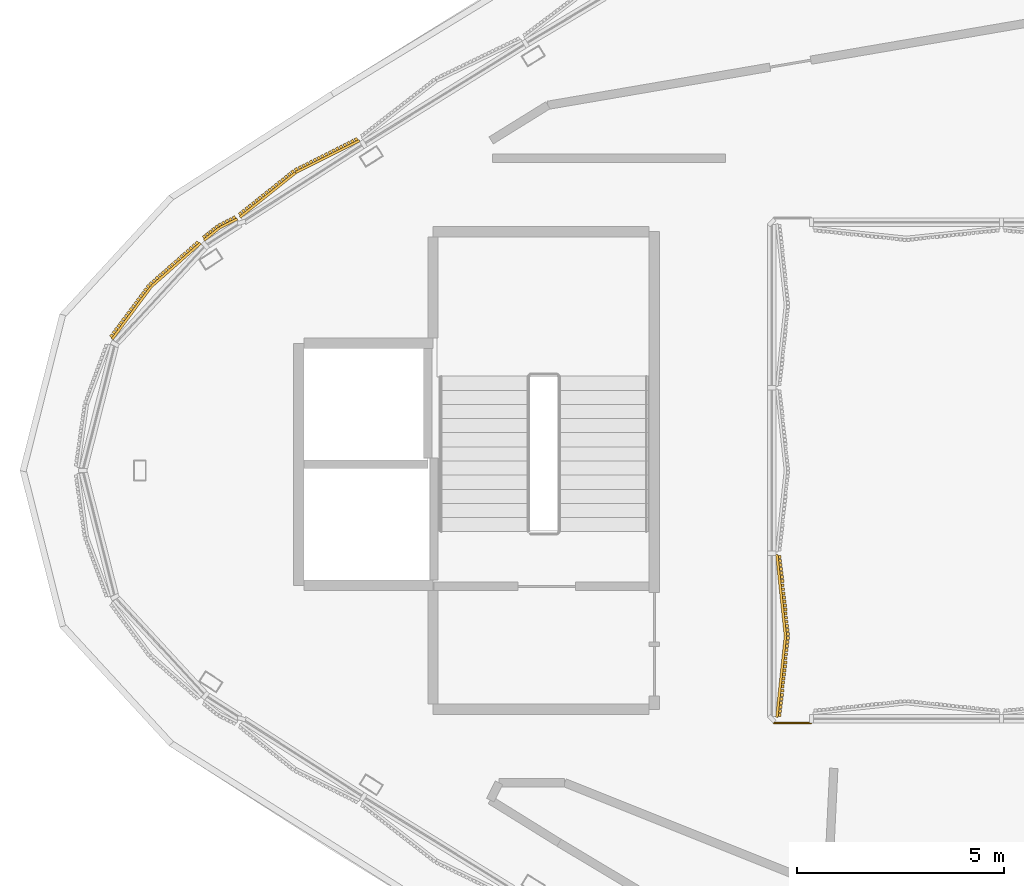
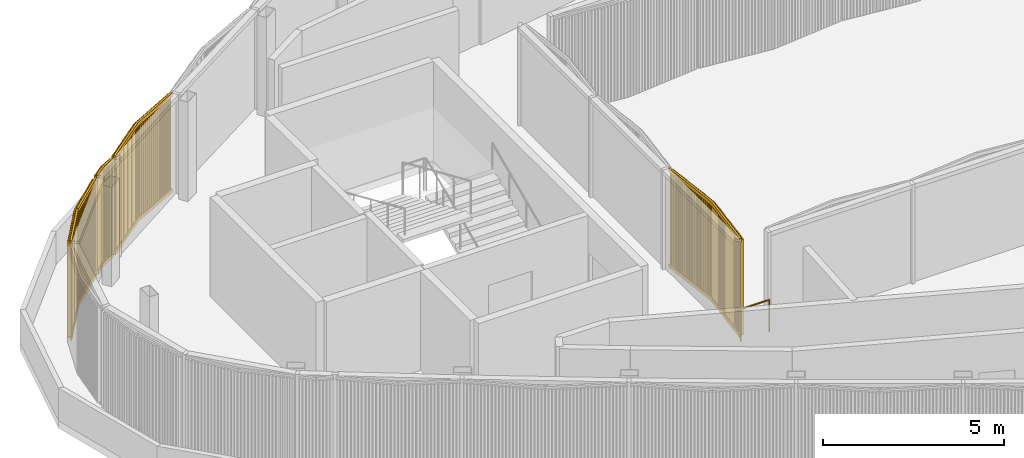
# One storey, part 11 of 16: 4 coverings, 1 railing.
"""IFC4 building model written with IfcOpenShell, lengths in metres."""

from ifc_helpers import new_model, si_unit, direction, frame, frame_2d, origin, origin_2d, place, context, subcontext, project, spatial, rectangle, circle, extrude, source, transform, mapped, material, type_object, element, save


model = new_model("IFC4")

# Units and contexts
model_context = context("Model", 3, precision=1e-05, world=origin(), true_north=direction((0.0, 1.0)))
body_context = subcontext(model_context, "Body", "Model", "MODEL_VIEW")
ifc_project = project(units=[si_unit("LENGTHUNIT", "METRE"), si_unit("AREAUNIT", "SQUARE_METRE"), si_unit("VOLUMEUNIT", "CUBIC_METRE"), si_unit("PLANEANGLEUNIT", "RADIAN"), si_unit("MASSUNIT", "GRAM", prefix="KILO")], contexts=[model_context])

# Site, building, storey
site_placement = place(None, origin())
site = spatial("IfcSite", under=ifc_project, at=site_placement, CompositionType="ELEMENT")
building_placement = place(site_placement, origin())
building = spatial("IfcBuilding", under=site, at=building_placement, Name="Tamra Quay Hotel Tower", CompositionType="ELEMENT")
storey_placement = place(building_placement, frame((0.0, 0.0, 320.60009765625)))
storey = spatial("IfcBuildingStorey", under=building, at=storey_placement, Name="Roof crown 1", CompositionType="ELEMENT", Elevation=320.60009765625)

# Railing
ifc_material_1 = material(Name="Stainless steel balustrade", Category="steel")
railing_type = type_object("IfcRailingType", Name="EXTERIOR GUARD 1100", PredefinedType="GUARDRAIL", material=ifc_material_1)
railing_placement = place(storey_placement, frame((-7.037353515625, -6.10009765625, 0.0)))
element("IfcRailing", 1, at=railing_placement, inside=storey, type_object=railing_type, Name="GR1", PredefinedType="GUARDRAIL", context=body_context, shape_type="SweptSolid", body=[
    extrude(circle(Radius=0.02392578125, at=origin_2d()), frame((0.0, 0.0, 1.076171875), z_axis=(-1.0, 0.0, 0.0), x_axis=(0.0, -1.0, 0.0)), (0.0, 0.0, 1.0), 0.91259765625),
    extrude(circle(Radius=0.02099609375, at=origin_2d()), origin(), (0.0, 0.0, 1.0), 1.052001953125),
    extrude(circle(Radius=0.02099609375, at=origin_2d()), frame((-0.91259765625, 0.0, 0.0)), (0.0, 0.0, 1.0), 1.052001953125),
])

# Coverings
ifc_material_2 = material(Name="Terracotta baguette extruded", Category="masonry")
covering_type = type_object("IfcCoveringType", Name="BAGUETTE SCREEN CROWN H3350", PredefinedType="USERDEFINED", material=ifc_material_2)
shared_shape_1 = source(origin(), body_context, "Body", "SweptSolid", [
    extrude(rectangle(XDim=1.5810546875, YDim=0.06005859375, at=frame_2d((0.79052734375, 0.030029296875))), frame((-1.578857421875, -0.0576171875, -0.1201171875), z_axis=(0.0, 0.0, 1.0), x_axis=(0.994521895368, -0.104528463268, 0.0)), (0.0, 0.0, 1.0), 0.1201171875),
    extrude(rectangle(XDim=1.5810546875, YDim=0.06005859375, at=frame_2d((0.79052734375, 0.030029296875))), frame((-1.578857421875, -0.0576171875, -3.35009765625), z_axis=(0.0, 0.0, 1.0), x_axis=(0.994521895368, -0.104528463268, 0.0)), (0.0, 0.0, 1.0), 0.1201171875),
    extrude(rectangle(XDim=0.070068359375, YDim=0.10009765625, at=frame_2d((0.03515625, 0.050048828125))), frame((-1.558349609375, -0.133056640625, -3.2900390625)), (0.0, 0.0, 1.0), 3.22998046875),
    extrude(rectangle(XDim=0.070068359375, YDim=0.10009765625, at=frame_2d((0.03515625, 0.050048828125))), frame((-1.4599609375, -0.1435546875, -3.2900390625)), (0.0, 0.0, 1.0), 3.22998046875),
    extrude(rectangle(XDim=0.070068359375, YDim=0.10009765625, at=frame_2d((0.03515625, 0.050048828125))), frame((-1.36181640625, -0.15380859375, -3.2900390625)), (0.0, 0.0, 1.0), 3.22998046875),
    extrude(rectangle(XDim=0.070068359375, YDim=0.10009765625, at=frame_2d((0.03515625, 0.050048828125))), frame((-1.263427734375, -0.1640625, -3.2900390625)), (0.0, 0.0, 1.0), 3.22998046875),
    extrude(rectangle(XDim=0.070068359375, YDim=0.10009765625, at=frame_2d((0.03515625, 0.050048828125))), frame((-1.165283203125, -0.174560546875, -3.2900390625)), (0.0, 0.0, 1.0), 3.22998046875),
    extrude(rectangle(XDim=0.070068359375, YDim=0.10009765625, at=frame_2d((0.03515625, 0.050048828125))), frame((-1.06689453125, -0.184814453125, -3.2900390625)), (0.0, 0.0, 1.0), 3.22998046875),
    extrude(rectangle(XDim=0.070068359375, YDim=0.10009765625, at=frame_2d((0.03515625, 0.050048828125))), frame((-0.96875, -0.195068359375, -3.2900390625)), (0.0, 0.0, 1.0), 3.22998046875),
    extrude(rectangle(XDim=0.070068359375, YDim=0.10009765625, at=frame_2d((0.03515625, 0.050048828125))), frame((-0.870361328125, -0.20556640625, -3.2900390625)), (0.0, 0.0, 1.0), 3.22998046875),
    extrude(rectangle(XDim=0.070068359375, YDim=0.10009765625, at=frame_2d((0.03515625, 0.050048828125))), frame((-0.772216796875, -0.2158203125, -3.2900390625)), (0.0, 0.0, 1.0), 3.22998046875),
    extrude(rectangle(XDim=0.070068359375, YDim=0.10009765625, at=frame_2d((0.03515625, 0.050048828125))), frame((-0.673828125, -0.22607421875, -3.2900390625)), (0.0, 0.0, 1.0), 3.22998046875),
    extrude(rectangle(XDim=0.070068359375, YDim=0.10009765625, at=frame_2d((0.03515625, 0.050048828125))), frame((-0.575439453125, -0.236572265625, -3.2900390625)), (0.0, 0.0, 1.0), 3.22998046875),
    extrude(rectangle(XDim=0.070068359375, YDim=0.10009765625, at=frame_2d((0.03515625, 0.050048828125))), frame((-0.477294921875, -0.246826171875, -3.2900390625)), (0.0, 0.0, 1.0), 3.22998046875),
    extrude(rectangle(XDim=0.070068359375, YDim=0.10009765625, at=frame_2d((0.03515625, 0.050048828125))), frame((-0.37890625, -0.257080078125, -3.2900390625)), (0.0, 0.0, 1.0), 3.22998046875),
    extrude(rectangle(XDim=0.070068359375, YDim=0.10009765625, at=frame_2d((0.03515625, 0.050048828125))), frame((-0.28076171875, -0.267333984375, -3.2900390625)), (0.0, 0.0, 1.0), 3.22998046875),
    extrude(rectangle(XDim=0.070068359375, YDim=0.10009765625, at=frame_2d((0.03515625, 0.050048828125))), frame((-0.182373046875, -0.27783203125, -3.2900390625)), (0.0, 0.0, 1.0), 3.22998046875),
    extrude(rectangle(XDim=0.070068359375, YDim=0.10009765625, at=frame_2d((0.03515625, 0.050048828125))), frame((-0.084228515625, -0.2880859375, -3.2900390625)), (0.0, 0.0, 1.0), 3.22998046875),
    extrude(rectangle(XDim=1.5810546875, YDim=0.06005859375, at=frame_2d((0.79052734375, 0.030029296875))), frame((0.00634765625, -0.222900390625, -0.1201171875), z_axis=(0.0, 0.0, 1.0), x_axis=(0.994521895368, 0.104528463268, 0.0)), (0.0, 0.0, 1.0), 0.1201171875),
    extrude(rectangle(XDim=1.5810546875, YDim=0.06005859375, at=frame_2d((0.79052734375, 0.030029296875))), frame((0.00634765625, -0.222900390625, -3.35009765625), z_axis=(0.0, 0.0, 1.0), x_axis=(0.994521895368, 0.104528463268, 0.0)), (0.0, 0.0, 1.0), 0.1201171875),
    extrude(rectangle(XDim=0.070068359375, YDim=0.10009765625, at=frame_2d((0.03515625, 0.050048828125))), frame((0.01416015625, -0.2880859375, -3.2900390625)), (0.0, 0.0, 1.0), 3.22998046875),
    extrude(rectangle(XDim=0.070068359375, YDim=0.10009765625, at=frame_2d((0.03515625, 0.050048828125))), frame((0.1123046875, -0.27783203125, -3.2900390625)), (0.0, 0.0, 1.0), 3.22998046875),
    extrude(rectangle(XDim=0.070068359375, YDim=0.10009765625, at=frame_2d((0.03515625, 0.050048828125))), frame((0.210693359375, -0.267333984375, -3.2900390625)), (0.0, 0.0, 1.0), 3.22998046875),
    extrude(rectangle(XDim=0.070068359375, YDim=0.10009765625, at=frame_2d((0.03515625, 0.050048828125))), frame((0.30908203125, -0.257080078125, -3.2900390625)), (0.0, 0.0, 1.0), 3.22998046875),
    extrude(rectangle(XDim=0.070068359375, YDim=0.10009765625, at=frame_2d((0.03515625, 0.050048828125))), frame((0.4072265625, -0.246826171875, -3.2900390625)), (0.0, 0.0, 1.0), 3.22998046875),
    extrude(rectangle(XDim=0.070068359375, YDim=0.10009765625, at=frame_2d((0.03515625, 0.050048828125))), frame((0.505615234375, -0.236572265625, -3.2900390625)), (0.0, 0.0, 1.0), 3.22998046875),
    extrude(rectangle(XDim=0.070068359375, YDim=0.10009765625, at=frame_2d((0.03515625, 0.050048828125))), frame((0.603759765625, -0.22607421875, -3.2900390625)), (0.0, 0.0, 1.0), 3.22998046875),
    extrude(rectangle(XDim=0.070068359375, YDim=0.10009765625, at=frame_2d((0.03515625, 0.050048828125))), frame((0.7021484375, -0.2158203125, -3.2900390625)), (0.0, 0.0, 1.0), 3.22998046875),
    extrude(rectangle(XDim=0.070068359375, YDim=0.10009765625, at=frame_2d((0.03515625, 0.050048828125))), frame((0.80029296875, -0.20556640625, -3.2900390625)), (0.0, 0.0, 1.0), 3.22998046875),
    extrude(rectangle(XDim=0.070068359375, YDim=0.10009765625, at=frame_2d((0.03515625, 0.050048828125))), frame((0.898681640625, -0.195068359375, -3.2900390625)), (0.0, 0.0, 1.0), 3.22998046875),
    extrude(rectangle(XDim=0.070068359375, YDim=0.10009765625, at=frame_2d((0.03515625, 0.050048828125))), frame((0.9970703125, -0.184814453125, -3.2900390625)), (0.0, 0.0, 1.0), 3.22998046875),
    extrude(rectangle(XDim=0.070068359375, YDim=0.10009765625, at=frame_2d((0.03515625, 0.050048828125))), frame((1.09521484375, -0.174560546875, -3.2900390625)), (0.0, 0.0, 1.0), 3.22998046875),
    extrude(rectangle(XDim=0.070068359375, YDim=0.10009765625, at=frame_2d((0.03515625, 0.050048828125))), frame((1.193603515625, -0.1640625, -3.2900390625)), (0.0, 0.0, 1.0), 3.22998046875),
    extrude(rectangle(XDim=0.070068359375, YDim=0.10009765625, at=frame_2d((0.03515625, 0.050048828125))), frame((1.291748046875, -0.15380859375, -3.2900390625)), (0.0, 0.0, 1.0), 3.22998046875),
    extrude(rectangle(XDim=0.070068359375, YDim=0.10009765625, at=frame_2d((0.03515625, 0.050048828125))), frame((1.39013671875, -0.1435546875, -3.2900390625)), (0.0, 0.0, 1.0), 3.22998046875),
    extrude(rectangle(XDim=0.070068359375, YDim=0.10009765625, at=frame_2d((0.03515625, 0.050048828125))), frame((1.48828125, -0.133056640625, -3.2900390625)), (0.0, 0.0, 1.0), 3.22998046875),
])
covering_1_placement = place(storey_placement, frame((-22.856201171875, 4.316650390625, 3.349853515625), z_axis=(0.0, 0.0, 1.0), x_axis=(-0.67737593284, -0.735637033875, 0.0)))
element("IfcCovering", 2, at=covering_1_placement, inside=storey, type_object=covering_type, Name="Baguette screen Roof crown 1.C.f11", ObjectType="BAGUETTE SCREEN", PredefinedType="USERDEFINED", context=body_context, shape_type="MappedRepresentation", body=[
    mapped(shared_shape_1, transform((0.0, 0.0, 0.0), scale=1.0)),
])
shared_shape_2 = source(origin(), body_context, "Body", "SweptSolid", [
    extrude(rectangle(XDim=1.721923828125, YDim=0.06005859375, at=frame_2d((0.86083984375, 0.030029296875))), frame((-1.71875, -0.0576171875, -0.1201171875), z_axis=(0.0, 0.0, 1.0), x_axis=(0.994521895368, -0.104528463268, 0.0)), (0.0, 0.0, 1.0), 0.1201171875),
    extrude(rectangle(XDim=1.721923828125, YDim=0.06005859375, at=frame_2d((0.86083984375, 0.030029296875))), frame((-1.71875, -0.0576171875, -3.35009765625), z_axis=(0.0, 0.0, 1.0), x_axis=(0.994521895368, -0.104528463268, 0.0)), (0.0, 0.0, 1.0), 0.1201171875),
    extrude(rectangle(XDim=0.070068359375, YDim=0.10009765625, at=frame_2d((0.03515625, 0.050048828125))), frame((-1.697021484375, -0.13330078125, -3.2900390625)), (0.0, 0.0, 1.0), 3.22998046875),
    extrude(rectangle(XDim=0.070068359375, YDim=0.10009765625, at=frame_2d((0.03515625, 0.050048828125))), frame((-1.596435546875, -0.143798828125, -3.2900390625)), (0.0, 0.0, 1.0), 3.22998046875),
    extrude(rectangle(XDim=0.070068359375, YDim=0.10009765625, at=frame_2d((0.03515625, 0.050048828125))), frame((-1.49560546875, -0.154541015625, -3.2900390625)), (0.0, 0.0, 1.0), 3.22998046875),
    extrude(rectangle(XDim=0.070068359375, YDim=0.10009765625, at=frame_2d((0.03515625, 0.050048828125))), frame((-1.39501953125, -0.1650390625, -3.2900390625)), (0.0, 0.0, 1.0), 3.22998046875),
    extrude(rectangle(XDim=0.070068359375, YDim=0.10009765625, at=frame_2d((0.03515625, 0.050048828125))), frame((-1.294189453125, -0.175537109375, -3.2900390625)), (0.0, 0.0, 1.0), 3.22998046875),
    extrude(rectangle(XDim=0.070068359375, YDim=0.10009765625, at=frame_2d((0.03515625, 0.050048828125))), frame((-1.193359375, -0.186279296875, -3.2900390625)), (0.0, 0.0, 1.0), 3.22998046875),
    extrude(rectangle(XDim=0.070068359375, YDim=0.10009765625, at=frame_2d((0.03515625, 0.050048828125))), frame((-1.0927734375, -0.19677734375, -3.2900390625)), (0.0, 0.0, 1.0), 3.22998046875),
    extrude(rectangle(XDim=0.070068359375, YDim=0.10009765625, at=frame_2d((0.03515625, 0.050048828125))), frame((-0.991943359375, -0.20751953125, -3.2900390625)), (0.0, 0.0, 1.0), 3.22998046875),
    extrude(rectangle(XDim=0.070068359375, YDim=0.10009765625, at=frame_2d((0.03515625, 0.050048828125))), frame((-0.891357421875, -0.218017578125, -3.2900390625)), (0.0, 0.0, 1.0), 3.22998046875),
    extrude(rectangle(XDim=0.070068359375, YDim=0.10009765625, at=frame_2d((0.03515625, 0.050048828125))), frame((-0.79052734375, -0.228515625, -3.2900390625)), (0.0, 0.0, 1.0), 3.22998046875),
    extrude(rectangle(XDim=0.070068359375, YDim=0.10009765625, at=frame_2d((0.03515625, 0.050048828125))), frame((-0.689697265625, -0.2392578125, -3.2900390625)), (0.0, 0.0, 1.0), 3.22998046875),
    extrude(rectangle(XDim=0.070068359375, YDim=0.10009765625, at=frame_2d((0.03515625, 0.050048828125))), frame((-0.589111328125, -0.249755859375, -3.2900390625)), (0.0, 0.0, 1.0), 3.22998046875),
    extrude(rectangle(XDim=0.070068359375, YDim=0.10009765625, at=frame_2d((0.03515625, 0.050048828125))), frame((-0.48828125, -0.26025390625, -3.2900390625)), (0.0, 0.0, 1.0), 3.22998046875),
    extrude(rectangle(XDim=0.070068359375, YDim=0.10009765625, at=frame_2d((0.03515625, 0.050048828125))), frame((-0.387451171875, -0.27099609375, -3.2900390625)), (0.0, 0.0, 1.0), 3.22998046875),
    extrude(rectangle(XDim=0.070068359375, YDim=0.10009765625, at=frame_2d((0.03515625, 0.050048828125))), frame((-0.286865234375, -0.281494140625, -3.2900390625)), (0.0, 0.0, 1.0), 3.22998046875),
    extrude(rectangle(XDim=0.070068359375, YDim=0.10009765625, at=frame_2d((0.03515625, 0.050048828125))), frame((-0.18603515625, -0.2919921875, -3.2900390625)), (0.0, 0.0, 1.0), 3.22998046875),
    extrude(rectangle(XDim=0.070068359375, YDim=0.10009765625, at=frame_2d((0.03515625, 0.050048828125))), frame((-0.08544921875, -0.302734375, -3.2900390625)), (0.0, 0.0, 1.0), 3.22998046875),
    extrude(rectangle(XDim=1.721923828125, YDim=0.06005859375, at=frame_2d((0.86083984375, 0.030029296875))), frame((0.00634765625, -0.237548828125, -0.1201171875), z_axis=(0.0, 0.0, 1.0), x_axis=(0.994521895368, 0.104528463268, 0.0)), (0.0, 0.0, 1.0), 0.1201171875),
    extrude(rectangle(XDim=1.721923828125, YDim=0.06005859375, at=frame_2d((0.86083984375, 0.030029296875))), frame((0.00634765625, -0.237548828125, -3.35009765625), z_axis=(0.0, 0.0, 1.0), x_axis=(0.994521895368, 0.104528463268, 0.0)), (0.0, 0.0, 1.0), 0.1201171875),
    extrude(rectangle(XDim=0.070068359375, YDim=0.10009765625, at=frame_2d((0.03515625, 0.050048828125))), frame((0.015380859375, -0.302734375, -3.2900390625)), (0.0, 0.0, 1.0), 3.22998046875),
    extrude(rectangle(XDim=0.070068359375, YDim=0.10009765625, at=frame_2d((0.03515625, 0.050048828125))), frame((0.1162109375, -0.2919921875, -3.2900390625)), (0.0, 0.0, 1.0), 3.22998046875),
    extrude(rectangle(XDim=0.070068359375, YDim=0.10009765625, at=frame_2d((0.03515625, 0.050048828125))), frame((0.216796875, -0.281494140625, -3.2900390625)), (0.0, 0.0, 1.0), 3.22998046875),
    extrude(rectangle(XDim=0.070068359375, YDim=0.10009765625, at=frame_2d((0.03515625, 0.050048828125))), frame((0.317626953125, -0.27099609375, -3.2900390625)), (0.0, 0.0, 1.0), 3.22998046875),
    extrude(rectangle(XDim=0.070068359375, YDim=0.10009765625, at=frame_2d((0.03515625, 0.050048828125))), frame((0.418212890625, -0.26025390625, -3.2900390625)), (0.0, 0.0, 1.0), 3.22998046875),
    extrude(rectangle(XDim=0.070068359375, YDim=0.10009765625, at=frame_2d((0.03515625, 0.050048828125))), frame((0.51904296875, -0.249755859375, -3.2900390625)), (0.0, 0.0, 1.0), 3.22998046875),
    extrude(rectangle(XDim=0.070068359375, YDim=0.10009765625, at=frame_2d((0.03515625, 0.050048828125))), frame((0.619873046875, -0.2392578125, -3.2900390625)), (0.0, 0.0, 1.0), 3.22998046875),
    extrude(rectangle(XDim=0.070068359375, YDim=0.10009765625, at=frame_2d((0.03515625, 0.050048828125))), frame((0.720458984375, -0.228515625, -3.2900390625)), (0.0, 0.0, 1.0), 3.22998046875),
    extrude(rectangle(XDim=0.070068359375, YDim=0.10009765625, at=frame_2d((0.03515625, 0.050048828125))), frame((0.8212890625, -0.218017578125, -3.2900390625)), (0.0, 0.0, 1.0), 3.22998046875),
    extrude(rectangle(XDim=0.070068359375, YDim=0.10009765625, at=frame_2d((0.03515625, 0.050048828125))), frame((0.921875, -0.20751953125, -3.2900390625)), (0.0, 0.0, 1.0), 3.22998046875),
    extrude(rectangle(XDim=0.070068359375, YDim=0.10009765625, at=frame_2d((0.03515625, 0.050048828125))), frame((1.022705078125, -0.19677734375, -3.2900390625)), (0.0, 0.0, 1.0), 3.22998046875),
    extrude(rectangle(XDim=0.070068359375, YDim=0.10009765625, at=frame_2d((0.03515625, 0.050048828125))), frame((1.12353515625, -0.186279296875, -3.2900390625)), (0.0, 0.0, 1.0), 3.22998046875),
    extrude(rectangle(XDim=0.070068359375, YDim=0.10009765625, at=frame_2d((0.03515625, 0.050048828125))), frame((1.22412109375, -0.175537109375, -3.2900390625)), (0.0, 0.0, 1.0), 3.22998046875),
    extrude(rectangle(XDim=0.070068359375, YDim=0.10009765625, at=frame_2d((0.03515625, 0.050048828125))), frame((1.324951171875, -0.1650390625, -3.2900390625)), (0.0, 0.0, 1.0), 3.22998046875),
    extrude(rectangle(XDim=0.070068359375, YDim=0.10009765625, at=frame_2d((0.03515625, 0.050048828125))), frame((1.42578125, -0.154541015625, -3.2900390625)), (0.0, 0.0, 1.0), 3.22998046875),
    extrude(rectangle(XDim=0.070068359375, YDim=0.10009765625, at=frame_2d((0.03515625, 0.050048828125))), frame((1.5263671875, -0.143798828125, -3.2900390625)), (0.0, 0.0, 1.0), 3.22998046875),
    extrude(rectangle(XDim=0.070068359375, YDim=0.10009765625, at=frame_2d((0.03515625, 0.050048828125))), frame((1.627197265625, -0.13330078125, -3.2900390625)), (0.0, 0.0, 1.0), 3.22998046875),
])
covering_2_placement = place(storey_placement, frame((-19.394775390625, 7.028076171875, 3.349853515625), z_axis=(0.0, 0.0, 1.0), x_axis=(-0.841664964506, -0.54000008104, 0.0)))
element("IfcCovering", 3, at=covering_2_placement, inside=storey, type_object=covering_type, Name="Baguette screen Roof crown 1.A.f11", ObjectType="BAGUETTE SCREEN", PredefinedType="USERDEFINED", context=body_context, shape_type="MappedRepresentation", body=[
    mapped(shared_shape_2, transform((0.0, 0.0, 0.0), scale=1.0)),
])
shared_shape_3 = source(origin(), body_context, "Body", "SweptSolid", [
    extrude(rectangle(XDim=0.47509765625, YDim=0.06005859375, at=frame_2d((0.237548828125, 0.030029296875))), frame((-0.478759765625, -0.0576171875, -0.1201171875), z_axis=(0.0, 0.0, 1.0), x_axis=(0.994521895368, -0.104528463268, 0.0)), (0.0, 0.0, 1.0), 0.1201171875),
    extrude(rectangle(XDim=0.47509765625, YDim=0.06005859375, at=frame_2d((0.237548828125, 0.030029296875))), frame((-0.478759765625, -0.0576171875, -3.35009765625), z_axis=(0.0, 0.0, 1.0), x_axis=(0.994521895368, -0.104528463268, 0.0)), (0.0, 0.0, 1.0), 0.1201171875),
    extrude(rectangle(XDim=0.070068359375, YDim=0.10009765625, at=frame_2d((0.03515625, 0.050048828125))), frame((-0.460205078125, -0.133056640625, -3.2900390625)), (0.0, 0.0, 1.0), 3.22998046875),
    extrude(rectangle(XDim=0.070068359375, YDim=0.10009765625, at=frame_2d((0.03515625, 0.050048828125))), frame((-0.36572265625, -0.142822265625, -3.2900390625)), (0.0, 0.0, 1.0), 3.22998046875),
    extrude(rectangle(XDim=0.070068359375, YDim=0.10009765625, at=frame_2d((0.03515625, 0.050048828125))), frame((-0.271240234375, -0.15283203125, -3.2900390625)), (0.0, 0.0, 1.0), 3.22998046875),
    extrude(rectangle(XDim=0.070068359375, YDim=0.10009765625, at=frame_2d((0.03515625, 0.050048828125))), frame((-0.1767578125, -0.162841796875, -3.2900390625)), (0.0, 0.0, 1.0), 3.22998046875),
    extrude(rectangle(XDim=0.070068359375, YDim=0.10009765625, at=frame_2d((0.03515625, 0.050048828125))), frame((-0.082275390625, -0.172607421875, -3.2900390625)), (0.0, 0.0, 1.0), 3.22998046875),
    extrude(rectangle(XDim=0.47509765625, YDim=0.06005859375, at=frame_2d((0.237548828125, 0.030029296875))), frame((0.00634765625, -0.107421875, -0.1201171875), z_axis=(0.0, 0.0, 1.0), x_axis=(0.994521895368, 0.104528463268, 0.0)), (0.0, 0.0, 1.0), 0.1201171875),
    extrude(rectangle(XDim=0.47509765625, YDim=0.06005859375, at=frame_2d((0.237548828125, 0.030029296875))), frame((0.00634765625, -0.107421875, -3.35009765625), z_axis=(0.0, 0.0, 1.0), x_axis=(0.994521895368, 0.104528463268, 0.0)), (0.0, 0.0, 1.0), 0.1201171875),
    extrude(rectangle(XDim=0.070068359375, YDim=0.10009765625, at=frame_2d((0.03515625, 0.050048828125))), frame((0.01220703125, -0.172607421875, -3.2900390625)), (0.0, 0.0, 1.0), 3.22998046875),
    extrude(rectangle(XDim=0.070068359375, YDim=0.10009765625, at=frame_2d((0.03515625, 0.050048828125))), frame((0.106689453125, -0.162841796875, -3.2900390625)), (0.0, 0.0, 1.0), 3.22998046875),
    extrude(rectangle(XDim=0.070068359375, YDim=0.10009765625, at=frame_2d((0.03515625, 0.050048828125))), frame((0.201171875, -0.15283203125, -3.2900390625)), (0.0, 0.0, 1.0), 3.22998046875),
    extrude(rectangle(XDim=0.070068359375, YDim=0.10009765625, at=frame_2d((0.03515625, 0.050048828125))), frame((0.295654296875, -0.142822265625, -3.2900390625)), (0.0, 0.0, 1.0), 3.22998046875),
    extrude(rectangle(XDim=0.070068359375, YDim=0.10009765625, at=frame_2d((0.03515625, 0.050048828125))), frame((0.39013671875, -0.133056640625, -3.2900390625)), (0.0, 0.0, 1.0), 3.22998046875),
])
covering_3_placement = place(storey_placement, frame((-21.305419921875, 5.80224609375, 3.349853515625), z_axis=(0.0, 0.0, 1.0), x_axis=(-0.841664964506, -0.54000008104, 0.0)))
element("IfcCovering", 4, at=covering_3_placement, inside=storey, type_object=covering_type, Name="Baguette screen Roof crown 1.C.f10", ObjectType="BAGUETTE SCREEN", PredefinedType="USERDEFINED", context=body_context, shape_type="MappedRepresentation", body=[
    mapped(shared_shape_3, transform((0.0, 0.0, 0.0), scale=1.0)),
])
shared_shape_4 = source(origin(), body_context, "Body", "SweptSolid", [
    extrude(rectangle(XDim=1.973388671875, YDim=0.06005859375, at=frame_2d((0.98681640625, 0.030029296875))), frame((-1.96875, -0.0576171875, -0.1201171875), z_axis=(0.0, 0.0, 1.0), x_axis=(0.994521895368, -0.104528463268, 0.0)), (0.0, 0.0, 1.0), 0.1201171875),
    extrude(rectangle(XDim=1.973388671875, YDim=0.06005859375, at=frame_2d((0.98681640625, 0.030029296875))), frame((-1.96875, -0.0576171875, -3.35009765625), z_axis=(0.0, 0.0, 1.0), x_axis=(0.994521895368, -0.104528463268, 0.0)), (0.0, 0.0, 1.0), 0.1201171875),
    extrude(rectangle(XDim=0.070068359375, YDim=0.10009765625, at=frame_2d((0.03515625, 0.050048828125))), frame((-1.948486328125, -0.133056640625, -3.2900390625)), (0.0, 0.0, 1.0), 3.22998046875),
    extrude(rectangle(XDim=0.070068359375, YDim=0.10009765625, at=frame_2d((0.03515625, 0.050048828125))), frame((-1.850341796875, -0.1435546875, -3.2900390625)), (0.0, 0.0, 1.0), 3.22998046875),
    extrude(rectangle(XDim=0.070068359375, YDim=0.10009765625, at=frame_2d((0.03515625, 0.050048828125))), frame((-1.752197265625, -0.15380859375, -3.2900390625)), (0.0, 0.0, 1.0), 3.22998046875),
    extrude(rectangle(XDim=0.070068359375, YDim=0.10009765625, at=frame_2d((0.03515625, 0.050048828125))), frame((-1.654052734375, -0.1640625, -3.2900390625)), (0.0, 0.0, 1.0), 3.22998046875),
    extrude(rectangle(XDim=0.070068359375, YDim=0.10009765625, at=frame_2d((0.03515625, 0.050048828125))), frame((-1.555908203125, -0.17431640625, -3.2900390625)), (0.0, 0.0, 1.0), 3.22998046875),
    extrude(rectangle(XDim=0.070068359375, YDim=0.10009765625, at=frame_2d((0.03515625, 0.050048828125))), frame((-1.457763671875, -0.184814453125, -3.2900390625)), (0.0, 0.0, 1.0), 3.22998046875),
    extrude(rectangle(XDim=0.070068359375, YDim=0.10009765625, at=frame_2d((0.03515625, 0.050048828125))), frame((-1.359619140625, -0.195068359375, -3.2900390625)), (0.0, 0.0, 1.0), 3.22998046875),
    extrude(rectangle(XDim=0.070068359375, YDim=0.10009765625, at=frame_2d((0.03515625, 0.050048828125))), frame((-1.261474609375, -0.205322265625, -3.2900390625)), (0.0, 0.0, 1.0), 3.22998046875),
    extrude(rectangle(XDim=0.070068359375, YDim=0.10009765625, at=frame_2d((0.03515625, 0.050048828125))), frame((-1.163330078125, -0.215576171875, -3.2900390625)), (0.0, 0.0, 1.0), 3.22998046875),
    extrude(rectangle(XDim=0.070068359375, YDim=0.10009765625, at=frame_2d((0.03515625, 0.050048828125))), frame((-1.0654296875, -0.22607421875, -3.2900390625)), (0.0, 0.0, 1.0), 3.22998046875),
    extrude(rectangle(XDim=0.070068359375, YDim=0.10009765625, at=frame_2d((0.03515625, 0.050048828125))), frame((-0.96728515625, -0.236328125, -3.2900390625)), (0.0, 0.0, 1.0), 3.22998046875),
    extrude(rectangle(XDim=0.070068359375, YDim=0.10009765625, at=frame_2d((0.03515625, 0.050048828125))), frame((-0.869140625, -0.24658203125, -3.2900390625)), (0.0, 0.0, 1.0), 3.22998046875),
    extrude(rectangle(XDim=0.070068359375, YDim=0.10009765625, at=frame_2d((0.03515625, 0.050048828125))), frame((-0.77099609375, -0.2568359375, -3.2900390625)), (0.0, 0.0, 1.0), 3.22998046875),
    extrude(rectangle(XDim=0.070068359375, YDim=0.10009765625, at=frame_2d((0.03515625, 0.050048828125))), frame((-0.6728515625, -0.267333984375, -3.2900390625)), (0.0, 0.0, 1.0), 3.22998046875),
    extrude(rectangle(XDim=0.070068359375, YDim=0.10009765625, at=frame_2d((0.03515625, 0.050048828125))), frame((-0.57470703125, -0.277587890625, -3.2900390625)), (0.0, 0.0, 1.0), 3.22998046875),
    extrude(rectangle(XDim=0.070068359375, YDim=0.10009765625, at=frame_2d((0.03515625, 0.050048828125))), frame((-0.4765625, -0.287841796875, -3.2900390625)), (0.0, 0.0, 1.0), 3.22998046875),
    extrude(rectangle(XDim=0.070068359375, YDim=0.10009765625, at=frame_2d((0.03515625, 0.050048828125))), frame((-0.37841796875, -0.298095703125, -3.2900390625)), (0.0, 0.0, 1.0), 3.22998046875),
    extrude(rectangle(XDim=0.070068359375, YDim=0.10009765625, at=frame_2d((0.03515625, 0.050048828125))), frame((-0.2802734375, -0.30859375, -3.2900390625)), (0.0, 0.0, 1.0), 3.22998046875),
    extrude(rectangle(XDim=0.070068359375, YDim=0.10009765625, at=frame_2d((0.03515625, 0.050048828125))), frame((-0.18212890625, -0.31884765625, -3.2900390625)), (0.0, 0.0, 1.0), 3.22998046875),
    extrude(rectangle(XDim=0.070068359375, YDim=0.10009765625, at=frame_2d((0.03515625, 0.050048828125))), frame((-0.083984375, -0.3291015625, -3.2900390625)), (0.0, 0.0, 1.0), 3.22998046875),
    extrude(rectangle(XDim=1.973388671875, YDim=0.06005859375, at=frame_2d((0.98681640625, 0.030029296875))), frame((0.00634765625, -0.263916015625, -0.1201171875), z_axis=(0.0, 0.0, 1.0), x_axis=(0.994521895368, 0.104528463268, 0.0)), (0.0, 0.0, 1.0), 0.1201171875),
    extrude(rectangle(XDim=1.973388671875, YDim=0.06005859375, at=frame_2d((0.98681640625, 0.030029296875))), frame((0.00634765625, -0.263916015625, -3.35009765625), z_axis=(0.0, 0.0, 1.0), x_axis=(0.994521895368, 0.104528463268, 0.0)), (0.0, 0.0, 1.0), 0.1201171875),
    extrude(rectangle(XDim=0.070068359375, YDim=0.10009765625, at=frame_2d((0.03515625, 0.050048828125))), frame((0.01416015625, -0.3291015625, -3.2900390625)), (0.0, 0.0, 1.0), 3.22998046875),
    extrude(rectangle(XDim=0.070068359375, YDim=0.10009765625, at=frame_2d((0.03515625, 0.050048828125))), frame((0.1123046875, -0.31884765625, -3.2900390625)), (0.0, 0.0, 1.0), 3.22998046875),
    extrude(rectangle(XDim=0.070068359375, YDim=0.10009765625, at=frame_2d((0.03515625, 0.050048828125))), frame((0.210205078125, -0.30859375, -3.2900390625)), (0.0, 0.0, 1.0), 3.22998046875),
    extrude(rectangle(XDim=0.070068359375, YDim=0.10009765625, at=frame_2d((0.03515625, 0.050048828125))), frame((0.308349609375, -0.298095703125, -3.2900390625)), (0.0, 0.0, 1.0), 3.22998046875),
    extrude(rectangle(XDim=0.070068359375, YDim=0.10009765625, at=frame_2d((0.03515625, 0.050048828125))), frame((0.406494140625, -0.287841796875, -3.2900390625)), (0.0, 0.0, 1.0), 3.22998046875),
    extrude(rectangle(XDim=0.070068359375, YDim=0.10009765625, at=frame_2d((0.03515625, 0.050048828125))), frame((0.504638671875, -0.277587890625, -3.2900390625)), (0.0, 0.0, 1.0), 3.22998046875),
    extrude(rectangle(XDim=0.070068359375, YDim=0.10009765625, at=frame_2d((0.03515625, 0.050048828125))), frame((0.602783203125, -0.267333984375, -3.2900390625)), (0.0, 0.0, 1.0), 3.22998046875),
    extrude(rectangle(XDim=0.070068359375, YDim=0.10009765625, at=frame_2d((0.03515625, 0.050048828125))), frame((0.700927734375, -0.2568359375, -3.2900390625)), (0.0, 0.0, 1.0), 3.22998046875),
    extrude(rectangle(XDim=0.070068359375, YDim=0.10009765625, at=frame_2d((0.03515625, 0.050048828125))), frame((0.799072265625, -0.24658203125, -3.2900390625)), (0.0, 0.0, 1.0), 3.22998046875),
    extrude(rectangle(XDim=0.070068359375, YDim=0.10009765625, at=frame_2d((0.03515625, 0.050048828125))), frame((0.897216796875, -0.236328125, -3.2900390625)), (0.0, 0.0, 1.0), 3.22998046875),
    extrude(rectangle(XDim=0.070068359375, YDim=0.10009765625, at=frame_2d((0.03515625, 0.050048828125))), frame((0.995361328125, -0.22607421875, -3.2900390625)), (0.0, 0.0, 1.0), 3.22998046875),
    extrude(rectangle(XDim=0.070068359375, YDim=0.10009765625, at=frame_2d((0.03515625, 0.050048828125))), frame((1.093505859375, -0.215576171875, -3.2900390625)), (0.0, 0.0, 1.0), 3.22998046875),
    extrude(rectangle(XDim=0.070068359375, YDim=0.10009765625, at=frame_2d((0.03515625, 0.050048828125))), frame((1.191650390625, -0.205322265625, -3.2900390625)), (0.0, 0.0, 1.0), 3.22998046875),
    extrude(rectangle(XDim=0.070068359375, YDim=0.10009765625, at=frame_2d((0.03515625, 0.050048828125))), frame((1.289794921875, -0.195068359375, -3.2900390625)), (0.0, 0.0, 1.0), 3.22998046875),
    extrude(rectangle(XDim=0.070068359375, YDim=0.10009765625, at=frame_2d((0.03515625, 0.050048828125))), frame((1.3876953125, -0.184814453125, -3.2900390625)), (0.0, 0.0, 1.0), 3.22998046875),
    extrude(rectangle(XDim=0.070068359375, YDim=0.10009765625, at=frame_2d((0.03515625, 0.050048828125))), frame((1.48583984375, -0.17431640625, -3.2900390625)), (0.0, 0.0, 1.0), 3.22998046875),
    extrude(rectangle(XDim=0.070068359375, YDim=0.10009765625, at=frame_2d((0.03515625, 0.050048828125))), frame((1.583984375, -0.1640625, -3.2900390625)), (0.0, 0.0, 1.0), 3.22998046875),
    extrude(rectangle(XDim=0.070068359375, YDim=0.10009765625, at=frame_2d((0.03515625, 0.050048828125))), frame((1.68212890625, -0.15380859375, -3.2900390625)), (0.0, 0.0, 1.0), 3.22998046875),
    extrude(rectangle(XDim=0.070068359375, YDim=0.10009765625, at=frame_2d((0.03515625, 0.050048828125))), frame((1.7802734375, -0.1435546875, -3.2900390625)), (0.0, 0.0, 1.0), 3.22998046875),
    extrude(rectangle(XDim=0.070068359375, YDim=0.10009765625, at=frame_2d((0.03515625, 0.050048828125))), frame((1.87841796875, -0.133056640625, -3.2900390625)), (0.0, 0.0, 1.0), 3.22998046875),
])
covering_4_placement = place(storey_placement, frame((-7.902099609375, -4.0, 3.349853515625), z_axis=(0.0, 0.0, 1.0), x_axis=(0.0, 1.0, 0.0)))
element("IfcCovering", 5, at=covering_4_placement, inside=storey, type_object=covering_type, Name="Baguette screen Roof crown 1.C.f04", ObjectType="BAGUETTE SCREEN", PredefinedType="USERDEFINED", context=body_context, shape_type="MappedRepresentation", body=[
    mapped(shared_shape_4, transform((0.0, 0.0, 0.0), scale=1.0)),
])

save(model, "model.ifc")
